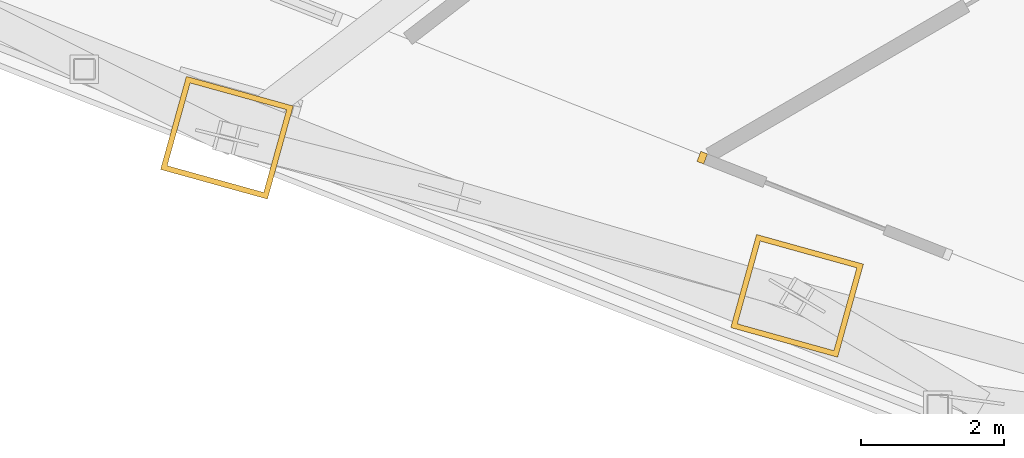
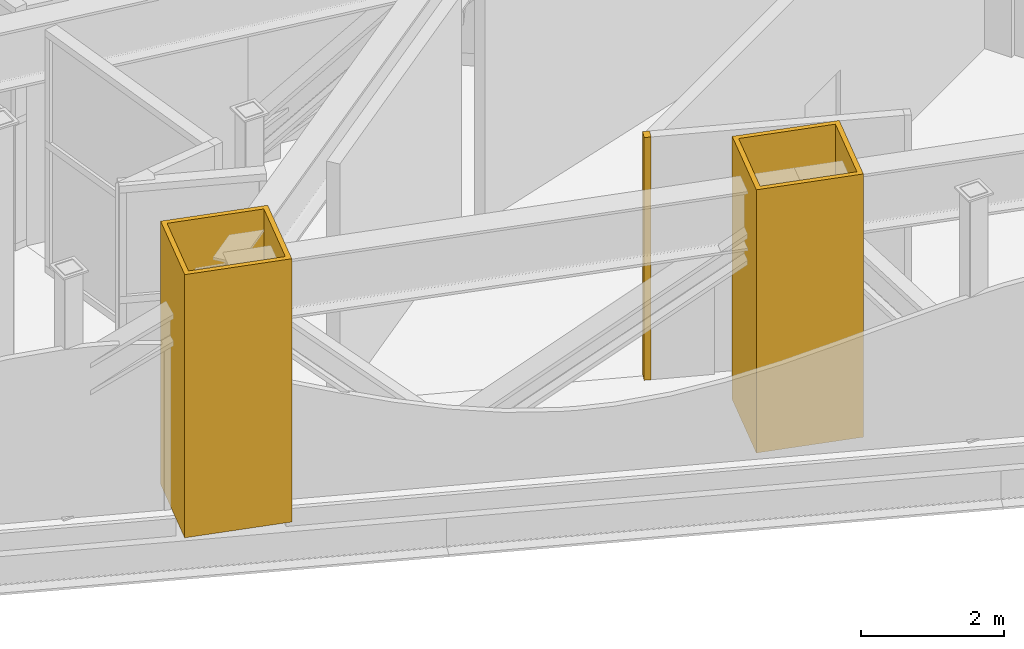
# One storey, part 18 of 27: 3 coverings.
"""IFC4 building model written with IfcOpenShell, lengths in metres."""

from ifc_helpers import new_model, si_unit, direction, frame, origin, place, context, subcontext, project, spatial, polyline, outline, extrude, material, layer, layer_set, type_object, element, save


model = new_model("IFC4")

# Units and contexts
model_context = context("Model", 3, precision=1e-05, world=origin(), true_north=direction((0.0, 1.0)))
body_context = subcontext(model_context, "Body", "Model", "MODEL_VIEW")
ifc_project = project(units=[si_unit("LENGTHUNIT", "METRE"), si_unit("AREAUNIT", "SQUARE_METRE"), si_unit("VOLUMEUNIT", "CUBIC_METRE"), si_unit("PLANEANGLEUNIT", "RADIAN"), si_unit("MASSUNIT", "GRAM", prefix="KILO")], contexts=[model_context])

# Site, building, storey
site_placement = place(None, origin())
site = spatial("IfcSite", under=ifc_project, at=site_placement, CompositionType="ELEMENT")
building_placement = place(site_placement, origin())
building = spatial("IfcBuilding", under=site, at=building_placement, Name="Trine Commons Tower", CompositionType="ELEMENT")
storey_placement = place(building_placement, frame((0.0, 0.0, 230.39990234375)))
storey = spatial("IfcBuildingStorey", under=building, at=storey_placement, Name="L60", CompositionType="ELEMENT", Elevation=230.39990234375)

# Coverings
ifc_material_1 = material(Name="Aluminium-framed insulated wall panel", Category="aluminium")
ifc_layer_1 = layer(ifc_material_1, 0.14990234375)
ifc_layer_set_1 = layer_set([ifc_layer_1], Name="Aluminium-framed insulated wall panel")
covering_type_1 = type_object("IfcCoveringType", Name="Glazing corner post, aluminium", PredefinedType="CLADDING", material=ifc_layer_set_1)
covering_1_placement = place(storey_placement, origin())
element("IfcCovering", 1, at=covering_1_placement, inside=storey, type_object=covering_type_1, Name="Entrance wall jamb post F3 9B", PredefinedType="CLADDING", context=body_context, shape_type="SweptSolid", body=[
    extrude(outline(polyline([(62.458251953125, 52.212890625), (62.365234375, 52.24951171875), (62.420166015625, 52.388916015625), (62.51318359375, 52.352294921875), (62.458251953125, 52.212890625)])), origin(), (0.0, 0.0, 1.0), 4.150146484375),
])
ifc_material_2 = material(Name="Limestone, honed", Category="masonry")
ifc_layer_2 = layer(ifc_material_2, 0.074951171875)
ifc_layer_set_2 = layer_set([ifc_layer_2], Name="Limestone, honed")
covering_type_2 = type_object("IfcCoveringType", Name="Limestone column cladding 75", PredefinedType="CLADDING", material=ifc_layer_set_2)
covering_2_placement = place(storey_placement, origin())
element("IfcCovering", 2, at=covering_2_placement, inside=storey, type_object=covering_type_2, Name="Limestone pier cladding 7-05", PredefinedType="CLADDING", context=body_context, shape_type="SweptSolid", body=[
    extrude(outline(polyline([(63.198486328125, 51.227294921875), (62.837646484375, 49.926513671875), (64.331298828125, 49.51220703125), (64.69189453125, 50.81298828125), (63.198486328125, 51.227294921875)]), holes=[polyline([(63.25048828125, 51.135009765625), (62.929931640625, 49.978759765625), (64.279052734375, 49.6044921875), (64.599609375, 50.760986328125), (63.25048828125, 51.135009765625)])]), origin(), (0.0, 0.0, 1.0), 4.5),
])
covering_3_placement = place(storey_placement, origin())
element("IfcCovering", 3, at=covering_3_placement, inside=storey, type_object=covering_type_2, Name="Limestone pier cladding 7-06", PredefinedType="CLADDING", context=body_context, shape_type="SweptSolid", body=[
    extrude(outline(polyline([(55.23046875, 53.43701171875), (54.86962890625, 52.13623046875), (56.36328125, 51.721923828125), (56.72412109375, 53.022705078125), (55.23046875, 53.43701171875)]), holes=[polyline([(55.28271484375, 53.3447265625), (54.9619140625, 52.1884765625), (56.31103515625, 51.814208984375), (56.631591796875, 52.970703125), (55.28271484375, 53.3447265625)])]), origin(), (0.0, 0.0, 1.0), 4.5),
])

save(model, "model.ifc")
